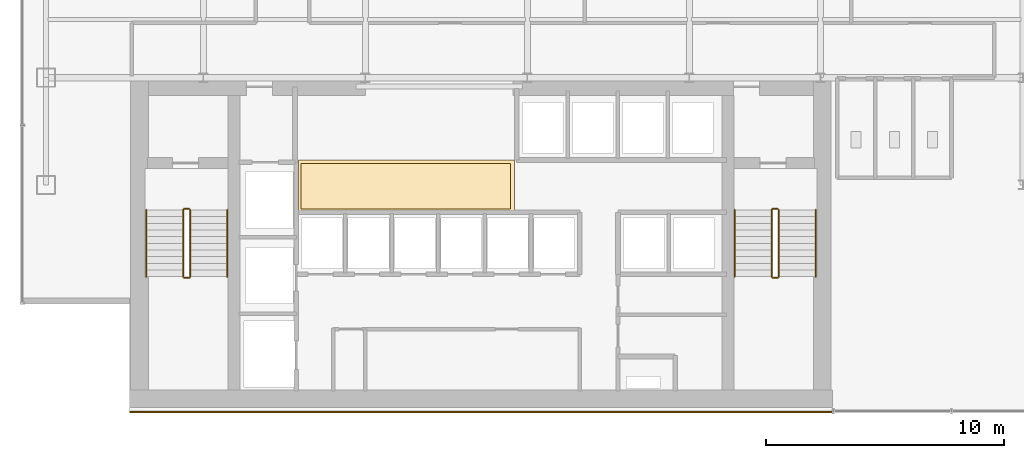
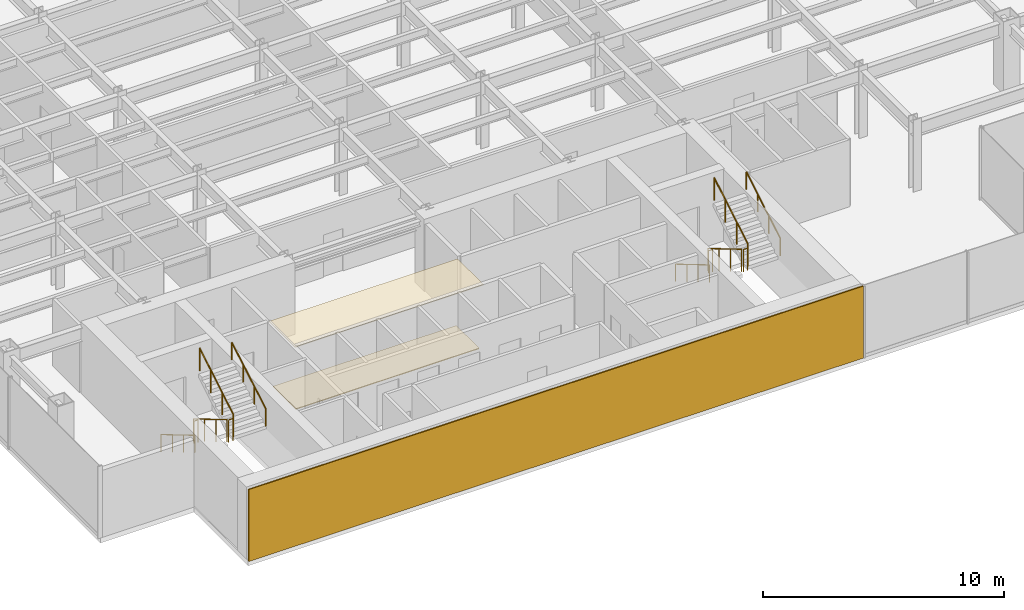
# One storey, part 23 of 25: 12 railings, 3 coverings.
"""IFC4 building model written with IfcOpenShell, lengths in metres."""

from ifc_helpers import new_model, si_unit, derived_unit, direction, frame, origin, origin_2d, place, context, subcontext, project, spatial, polyline, rectangle, circle, outline, extrude, source, transform, mapped, material, layer, layer_set, type_object, element, save


model = new_model("IFC4")

# Units and contexts
model_context = context("Model", 3, precision=1e-05, world=origin(), true_north=direction((0.0, 1.0)))
body_context = subcontext(model_context, "Body", "Model", "MODEL_VIEW")
ifc_project = project(units=[si_unit("LENGTHUNIT", "METRE"), si_unit("AREAUNIT", "SQUARE_METRE"), si_unit("VOLUMEUNIT", "CUBIC_METRE"), si_unit("PLANEANGLEUNIT", "RADIAN"), si_unit("MASSUNIT", "GRAM", prefix="KILO"), derived_unit("THERMALTRANSMITTANCEUNIT", [(si_unit("POWERUNIT", "WATT"), 1), (si_unit("LENGTHUNIT", "METRE"), -2), (si_unit("THERMODYNAMICTEMPERATUREUNIT", "KELVIN"), -1)])], contexts=[model_context])

# Site, building, storey
site_placement = place(None, origin())
site = spatial("IfcSite", under=ifc_project, at=site_placement, CompositionType="ELEMENT")
building_placement = place(site_placement, origin())
building = spatial("IfcBuilding", under=site, at=building_placement, Name="Skarnbrae Concourse Arena and Tower", CompositionType="ELEMENT")
storey_placement = place(building_placement, frame((0.0, 0.0, 88.64990234375)))
storey = spatial("IfcBuildingStorey", under=building, at=storey_placement, Name="L21", CompositionType="ELEMENT", Elevation=88.64990234375)

# Coverings
ifc_material_1 = material(Name="Mineral fibre acoustic ceiling tile", Category="other")
ifc_layer_1 = layer(ifc_material_1, 0.0400390625)
ifc_layer_set_1 = layer_set([ifc_layer_1], Name="Mineral fibre acoustic ceiling tile")
covering_type_1 = type_object("IfcCoveringType", Name="COV-CEIL-ACOUSTIC", PredefinedType="CEILING", material=ifc_layer_set_1)
covering_1_placement = place(storey_placement, frame((0.0, 0.0, 3.239990234375)))
element("IfcCovering", 1, at=covering_1_placement, inside=storey, type_object=covering_type_1, Name="L21 Lift lobby acoustic ceiling", PredefinedType="CEILING", context=body_context, shape_type="SweptSolid", body=[
    extrude(outline(polyline([(11.60009765625, 8.39990234375), (20.64990234375, 8.39990234375), (20.64990234375, 10.550048828125), (11.60009765625, 10.550048828125), (11.60009765625, 8.39990234375)])), origin(), (0.0, 0.0, 1.0), 0.0400390625),
])
ifc_material_2 = material(Name="Polished granite terrazzo flooring", Category="masonry")
ifc_layer_2 = layer(ifc_material_2, 0.0400390625)
ifc_layer_set_2 = layer_set([ifc_layer_2], Name="Polished granite terrazzo flooring")
covering_type_2 = type_object("IfcCoveringType", Name="COV-FLOOR-TERRAZZO", PredefinedType="FLOORING", material=ifc_layer_set_2)
covering_2_placement = place(storey_placement, origin())
element("IfcCovering", 2, at=covering_2_placement, inside=storey, type_object=covering_type_2, Name="L21 Lift lobby terrazzo flooring", PredefinedType="FLOORING", context=body_context, shape_type="SweptSolid", body=[
    extrude(outline(polyline([(11.699951171875, 8.5), (20.5, 8.5), (20.5, 10.39990234375), (11.699951171875, 10.39990234375), (11.699951171875, 8.5)])), origin(), (0.0, 0.0, 1.0), 0.0400390625),
])

# Railings
ifc_material_3 = material(Name="Steel CSA G40.21 350W", Category="steel")
railing_type_1 = type_object("IfcRailingType", Name="RAIL-HANDRAIL-900", PredefinedType="HANDRAIL", material=ifc_material_3)
railing_1_placement = place(storey_placement, frame((5.199951171875, 8.449951171875, 0.166015625)))
element("IfcRailing", 3, at=railing_1_placement, inside=storey, type_object=railing_type_1, Name="L21 ST-1 stair handrail 1", PredefinedType="HANDRAIL", context=body_context, shape_type="SweptSolid", body=[
    extrude(circle(Radius=0.02392578125, at=origin_2d()), frame((0.0, 0.0, 0.8759765625), z_axis=(0.0, -0.860306154799, 0.50977771628), x_axis=(1.0, 0.0, 0.0)), (0.0, 0.0, 1.0), 3.254638671875),
    extrude(circle(Radius=0.02099609375, at=origin_2d()), origin(), (0.0, 0.0, 1.0), 0.851806640625),
    extrude(circle(Radius=0.02099609375, at=origin_2d()), frame((0.0, -0.933349609375, 0.552978515625)), (0.0, 0.0, 1.0), 0.851806640625),
    extrude(circle(Radius=0.02099609375, at=origin_2d()), frame((0.0, -1.86669921875, 1.106201171875)), (0.0, 0.0, 1.0), 0.851806640625),
    extrude(circle(Radius=0.02099609375, at=origin_2d()), frame((0.0, -2.800048828125, 1.6591796875)), (0.0, 0.0, 1.0), 0.851806640625),
])
railing_2_placement = place(storey_placement, frame((8.60009765625, 5.64990234375, 1.990966796875)))
element("IfcRailing", 4, at=railing_2_placement, inside=storey, type_object=railing_type_1, Name="L21 ST-1 stair handrail 2", PredefinedType="HANDRAIL", context=body_context, shape_type="SweptSolid", body=[
    extrude(circle(Radius=0.02392578125, at=origin_2d()), frame((0.0, 0.0, 0.8759765625), z_axis=(0.0, 0.860306154799, 0.50977771628), x_axis=(-1.0, 0.0, 0.0)), (0.0, 0.0, 1.0), 3.254638671875),
    extrude(circle(Radius=0.02099609375, at=origin_2d()), origin(), (0.0, 0.0, 1.0), 0.851806640625),
    extrude(circle(Radius=0.02099609375, at=origin_2d()), frame((0.0, 0.933349609375, 0.552978515625)), (0.0, 0.0, 1.0), 0.851806640625),
    extrude(circle(Radius=0.02099609375, at=origin_2d()), frame((0.0, 1.86669921875, 1.106201171875)), (0.0, 0.0, 1.0), 0.851806640625),
    extrude(circle(Radius=0.02099609375, at=origin_2d()), frame((0.0, 2.800048828125, 1.6591796875)), (0.0, 0.0, 1.0), 0.851806640625),
])
railing_3_placement = place(storey_placement, frame((29.89990234375, 8.449951171875, 0.166015625)))
element("IfcRailing", 5, at=railing_3_placement, inside=storey, type_object=railing_type_1, Name="L21 ST-2 stair handrail 1", PredefinedType="HANDRAIL", context=body_context, shape_type="SweptSolid", body=[
    extrude(circle(Radius=0.02392578125, at=origin_2d()), frame((0.0, 0.0, 0.8759765625), z_axis=(0.0, -0.860306154799, 0.50977771628), x_axis=(1.0, 0.0, 0.0)), (0.0, 0.0, 1.0), 3.254638671875),
    extrude(circle(Radius=0.02099609375, at=origin_2d()), origin(), (0.0, 0.0, 1.0), 0.851806640625),
    extrude(circle(Radius=0.02099609375, at=origin_2d()), frame((0.0, -0.933349609375, 0.552978515625)), (0.0, 0.0, 1.0), 0.851806640625),
    extrude(circle(Radius=0.02099609375, at=origin_2d()), frame((0.0, -1.86669921875, 1.106201171875)), (0.0, 0.0, 1.0), 0.851806640625),
    extrude(circle(Radius=0.02099609375, at=origin_2d()), frame((0.0, -2.800048828125, 1.6591796875)), (0.0, 0.0, 1.0), 0.851806640625),
])
railing_4_placement = place(storey_placement, frame((33.300048828125, 5.64990234375, 1.990966796875)))
element("IfcRailing", 6, at=railing_4_placement, inside=storey, type_object=railing_type_1, Name="L21 ST-2 stair handrail 2", PredefinedType="HANDRAIL", context=body_context, shape_type="SweptSolid", body=[
    extrude(circle(Radius=0.02392578125, at=origin_2d()), frame((0.0, 0.0, 0.8759765625), z_axis=(0.0, 0.860306154799, 0.50977771628), x_axis=(-1.0, 0.0, 0.0)), (0.0, 0.0, 1.0), 3.254638671875),
    extrude(circle(Radius=0.02099609375, at=origin_2d()), origin(), (0.0, 0.0, 1.0), 0.851806640625),
    extrude(circle(Radius=0.02099609375, at=origin_2d()), frame((0.0, 0.933349609375, 0.552978515625)), (0.0, 0.0, 1.0), 0.851806640625),
    extrude(circle(Radius=0.02099609375, at=origin_2d()), frame((0.0, 1.86669921875, 1.106201171875)), (0.0, 0.0, 1.0), 0.851806640625),
    extrude(circle(Radius=0.02099609375, at=origin_2d()), frame((0.0, 2.800048828125, 1.6591796875)), (0.0, 0.0, 1.0), 0.851806640625),
])
railing_type_2 = type_object("IfcRailingType", Name="RAIL-STAIR-GUARD-1150", PredefinedType="GUARDRAIL", material=ifc_material_3)
railing_5_placement = place(storey_placement, frame((6.75, 8.449951171875, 0.166015625)))
element("IfcRailing", 7, at=railing_5_placement, inside=storey, type_object=railing_type_2, Name="L21 ST-1 stair guard 1", PredefinedType="GUARDRAIL", context=body_context, shape_type="SweptSolid", body=[
    extrude(circle(Radius=0.02392578125, at=origin_2d()), frame((0.0, 0.0, 1.1259765625), z_axis=(0.0, -0.860306154799, 0.50977771628), x_axis=(1.0, 0.0, 0.0)), (0.0, 0.0, 1.0), 3.254638671875),
    extrude(circle(Radius=0.02099609375, at=origin_2d()), origin(), (0.0, 0.0, 1.0), 1.101806640625),
    extrude(circle(Radius=0.02099609375, at=origin_2d()), frame((0.0, -0.933349609375, 0.552978515625)), (0.0, 0.0, 1.0), 1.101806640625),
    extrude(circle(Radius=0.02099609375, at=origin_2d()), frame((0.0, -1.86669921875, 1.106201171875)), (0.0, 0.0, 1.0), 1.101806640625),
    extrude(circle(Radius=0.02099609375, at=origin_2d()), frame((0.0, -2.800048828125, 1.6591796875)), (0.0, 0.0, 1.0), 1.101806640625),
])
railing_6_placement = place(storey_placement, frame((6.800048828125, 5.60009765625, 1.8251953125)))
element("IfcRailing", 8, at=railing_6_placement, inside=storey, type_object=railing_type_2, Name="L21 ST-1 stair guard 2", PredefinedType="GUARDRAIL", context=body_context, shape_type="SweptSolid", body=[
    extrude(circle(Radius=0.02392578125, at=origin_2d()), frame((0.0, 0.0, 1.1259765625), z_axis=(1.0, 0.0, 0.0), x_axis=(0.0, 1.0, 0.0)), (0.0, 0.0, 1.0), 0.199951171875),
    extrude(circle(Radius=0.02099609375, at=origin_2d()), origin(), (0.0, 0.0, 1.0), 1.101806640625),
    extrude(circle(Radius=0.02099609375, at=origin_2d()), frame((0.199951171875, 0.0, 0.0)), (0.0, 0.0, 1.0), 1.101806640625),
])
railing_7_placement = place(storey_placement, frame((7.050048828125, 5.64990234375, 1.990966796875)))
element("IfcRailing", 9, at=railing_7_placement, inside=storey, type_object=railing_type_2, Name="L21 ST-1 stair guard 3", PredefinedType="GUARDRAIL", context=body_context, shape_type="SweptSolid", body=[
    extrude(circle(Radius=0.02392578125, at=origin_2d()), frame((0.0, 0.0, 1.1259765625), z_axis=(0.0, 0.860306154799, 0.50977771628), x_axis=(-1.0, 0.0, 0.0)), (0.0, 0.0, 1.0), 3.254638671875),
    extrude(circle(Radius=0.02099609375, at=origin_2d()), origin(), (0.0, 0.0, 1.0), 1.101806640625),
    extrude(circle(Radius=0.02099609375, at=origin_2d()), frame((0.0, 0.933349609375, 0.552978515625)), (0.0, 0.0, 1.0), 1.101806640625),
    extrude(circle(Radius=0.02099609375, at=origin_2d()), frame((0.0, 1.86669921875, 1.106201171875)), (0.0, 0.0, 1.0), 1.101806640625),
    extrude(circle(Radius=0.02099609375, at=origin_2d()), frame((0.0, 2.800048828125, 1.6591796875)), (0.0, 0.0, 1.0), 1.101806640625),
])
railing_8_placement = place(storey_placement, frame((6.800048828125, 8.5, 0.0)))
element("IfcRailing", 10, at=railing_8_placement, inside=storey, type_object=railing_type_2, Name="L21 ST-1 stair guard 4", PredefinedType="GUARDRAIL", context=body_context, shape_type="SweptSolid", body=[
    extrude(circle(Radius=0.02392578125, at=origin_2d()), frame((0.0, 0.0, 1.1259765625), z_axis=(1.0, 0.0, 0.0), x_axis=(0.0, 1.0, 0.0)), (0.0, 0.0, 1.0), 0.199951171875),
    extrude(circle(Radius=0.02099609375, at=origin_2d()), origin(), (0.0, 0.0, 1.0), 1.101806640625),
    extrude(circle(Radius=0.02099609375, at=origin_2d()), frame((0.199951171875, 0.0, 0.0)), (0.0, 0.0, 1.0), 1.101806640625),
])
railing_9_placement = place(storey_placement, frame((31.449951171875, 8.449951171875, 0.166015625)))
element("IfcRailing", 11, at=railing_9_placement, inside=storey, type_object=railing_type_2, Name="L21 ST-2 stair guard 1", PredefinedType="GUARDRAIL", context=body_context, shape_type="SweptSolid", body=[
    extrude(circle(Radius=0.02392578125, at=origin_2d()), frame((0.0, 0.0, 1.1259765625), z_axis=(0.0, -0.860306154799, 0.50977771628), x_axis=(1.0, 0.0, 0.0)), (0.0, 0.0, 1.0), 3.254638671875),
    extrude(circle(Radius=0.02099609375, at=origin_2d()), origin(), (0.0, 0.0, 1.0), 1.101806640625),
    extrude(circle(Radius=0.02099609375, at=origin_2d()), frame((0.0, -0.933349609375, 0.552978515625)), (0.0, 0.0, 1.0), 1.101806640625),
    extrude(circle(Radius=0.02099609375, at=origin_2d()), frame((0.0, -1.86669921875, 1.106201171875)), (0.0, 0.0, 1.0), 1.101806640625),
    extrude(circle(Radius=0.02099609375, at=origin_2d()), frame((0.0, -2.800048828125, 1.6591796875)), (0.0, 0.0, 1.0), 1.101806640625),
])
railing_10_placement = place(storey_placement, frame((31.5, 5.60009765625, 1.8251953125)))
element("IfcRailing", 12, at=railing_10_placement, inside=storey, type_object=railing_type_2, Name="L21 ST-2 stair guard 2", PredefinedType="GUARDRAIL", context=body_context, shape_type="SweptSolid", body=[
    extrude(circle(Radius=0.02392578125, at=origin_2d()), frame((0.0, 0.0, 1.1259765625), z_axis=(1.0, 0.0, 0.0), x_axis=(0.0, 1.0, 0.0)), (0.0, 0.0, 1.0), 0.199951171875),
    extrude(circle(Radius=0.02099609375, at=origin_2d()), origin(), (0.0, 0.0, 1.0), 1.101806640625),
    extrude(circle(Radius=0.02099609375, at=origin_2d()), frame((0.199951171875, 0.0, 0.0)), (0.0, 0.0, 1.0), 1.101806640625),
])
railing_11_placement = place(storey_placement, frame((31.75, 5.64990234375, 1.990966796875)))
element("IfcRailing", 13, at=railing_11_placement, inside=storey, type_object=railing_type_2, Name="L21 ST-2 stair guard 3", PredefinedType="GUARDRAIL", context=body_context, shape_type="SweptSolid", body=[
    extrude(circle(Radius=0.02392578125, at=origin_2d()), frame((0.0, 0.0, 1.1259765625), z_axis=(0.0, 0.860306154799, 0.50977771628), x_axis=(-1.0, 0.0, 0.0)), (0.0, 0.0, 1.0), 3.254638671875),
    extrude(circle(Radius=0.02099609375, at=origin_2d()), origin(), (0.0, 0.0, 1.0), 1.101806640625),
    extrude(circle(Radius=0.02099609375, at=origin_2d()), frame((0.0, 0.933349609375, 0.552978515625)), (0.0, 0.0, 1.0), 1.101806640625),
    extrude(circle(Radius=0.02099609375, at=origin_2d()), frame((0.0, 1.86669921875, 1.106201171875)), (0.0, 0.0, 1.0), 1.101806640625),
    extrude(circle(Radius=0.02099609375, at=origin_2d()), frame((0.0, 2.800048828125, 1.6591796875)), (0.0, 0.0, 1.0), 1.101806640625),
])
railing_12_placement = place(storey_placement, frame((31.5, 8.5, 0.0)))
element("IfcRailing", 14, at=railing_12_placement, inside=storey, type_object=railing_type_2, Name="L21 ST-2 stair guard 4", PredefinedType="GUARDRAIL", context=body_context, shape_type="SweptSolid", body=[
    extrude(circle(Radius=0.02392578125, at=origin_2d()), frame((0.0, 0.0, 1.1259765625), z_axis=(1.0, 0.0, 0.0), x_axis=(0.0, 1.0, 0.0)), (0.0, 0.0, 1.0), 0.199951171875),
    extrude(circle(Radius=0.02099609375, at=origin_2d()), origin(), (0.0, 0.0, 1.0), 1.101806640625),
    extrude(circle(Radius=0.02099609375, at=origin_2d()), frame((0.199951171875, 0.0, 0.0)), (0.0, 0.0, 1.0), 1.101806640625),
])

# Covering
ifc_material_4 = material(Name="Bronze anodised aluminium 6063-T6", Category="aluminium")
ifc_layer_3 = layer(ifc_material_4, 0.06005859375)
ifc_layer_set_3 = layer_set([ifc_layer_3], Name="Bronze anodised aluminium 6063-T6")
covering_type_3 = type_object("IfcCoveringType", Name="COV-CLAD-BRONZE-60", PredefinedType="CLADDING", material=ifc_layer_set_3)
shared_shape = source(origin(), body_context, "Body", "SweptSolid", [
    extrude(rectangle(XDim=29.5, YDim=0.06005859375, at=origin_2d()), origin(), (0.0, 0.0, 1.0), 3.64990234375),
])
covering_3_placement = place(storey_placement, frame((19.25, -0.030029296875, 0.000244140625), z_axis=(0.0, 0.0, 1.0), x_axis=(1.0, 0.0, 0.0)))
element("IfcCovering", 15, at=covering_3_placement, inside=storey, type_object=covering_type_3, Name="L21 Rear-core plumb spine bronze rainscreen panel", PredefinedType="CLADDING", context=body_context, shape_type="MappedRepresentation", body=[
    mapped(shared_shape, transform((0.0, 0.0, 0.0))),
])

save(model, "model.ifc")
